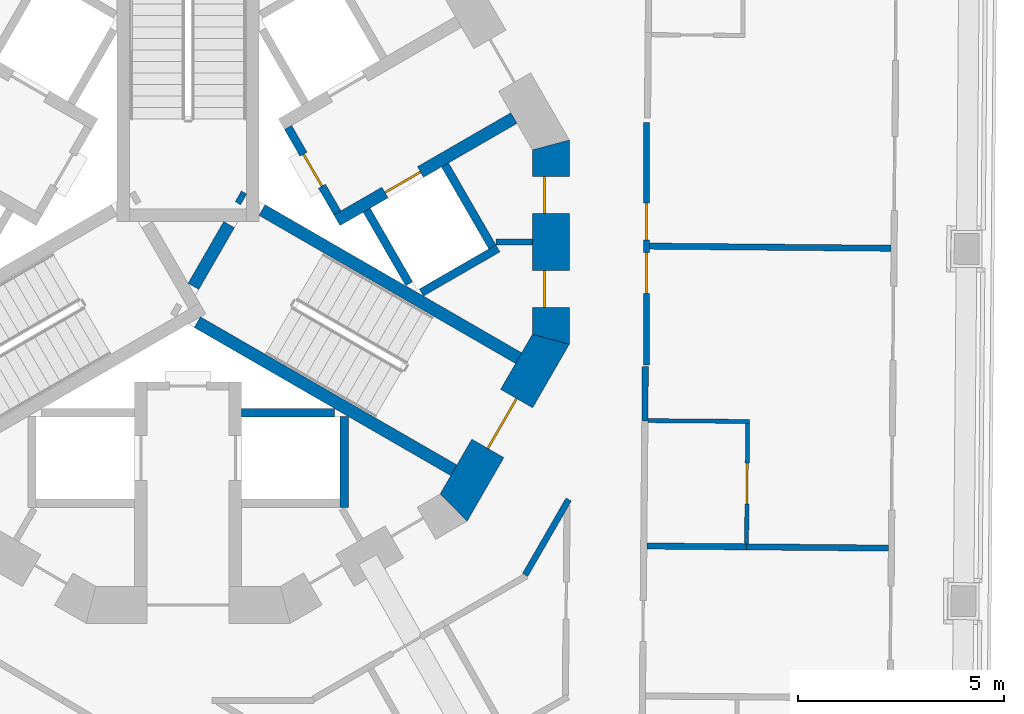
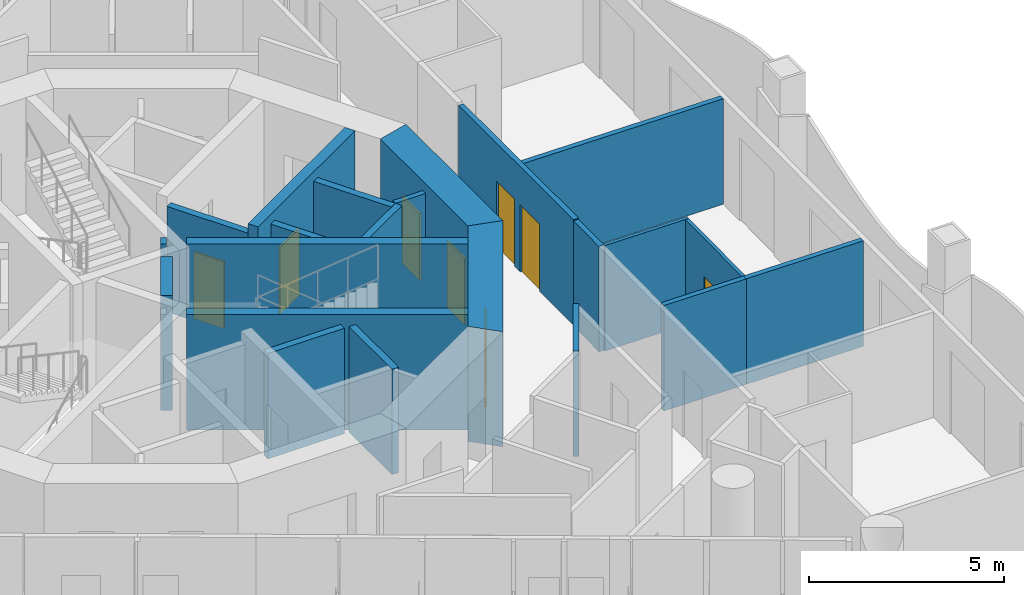
# One storey, part 6 of 18: 22 walls, 8 doors, 8 openings.
"""IFC4 building model written with IfcOpenShell, lengths in metres."""

from ifc_helpers import new_model, si_unit, direction, frame, frame_2d, origin, place, context, subcontext, project, spatial, polyline, rectangle, outline, extrude, material, layer, layer_set, type_object, element, fill, save


model = new_model("IFC4")

# Units and contexts
model_context = context("Model", 3, precision=1e-05, world=origin(), true_north=direction((0.0, 1.0)))
body_context = subcontext(model_context, "Body", "Model", "MODEL_VIEW")
ifc_project = project(units=[si_unit("LENGTHUNIT", "METRE"), si_unit("AREAUNIT", "SQUARE_METRE"), si_unit("VOLUMEUNIT", "CUBIC_METRE"), si_unit("PLANEANGLEUNIT", "RADIAN"), si_unit("MASSUNIT", "GRAM", prefix="KILO")], contexts=[model_context])

# Site, building, storey
site_placement = place(None, origin())
site = spatial("IfcSite", under=ifc_project, at=site_placement, CompositionType="ELEMENT")
building_placement = place(site_placement, origin())
building = spatial("IfcBuilding", under=site, at=building_placement, Name="Trine Commons Tower", CompositionType="ELEMENT")
storey_placement = place(building_placement, frame((0.0, 0.0, 175.5)))
storey = spatial("IfcBuildingStorey", under=building, at=storey_placement, Name="L45", CompositionType="ELEMENT", Elevation=175.5)

# Wall
ifc_material_1 = material(Name="Plasterboard partition on steel studs", Category="steel")
ifc_layer_1 = layer(ifc_material_1, 0.14990234375)
ifc_layer_set_1 = layer_set([ifc_layer_1], Name="Plasterboard partition on steel studs")
wall_type_1 = type_object("IfcWallType", Name="Core room partition 150 mm, EI 60", PredefinedType="PARTITIONING", material=ifc_layer_set_1)
wall_1_placement = place(storey_placement, frame((88.373046875, 62.5, 0.0), z_axis=(0.0, 0.0, 1.0), x_axis=(-1.0, 0.0, 0.0)))
element("IfcWall", 1, at=wall_1_placement, inside=storey, type_object=wall_type_1, Name="Core room partition L45", PredefinedType="PARTITIONING", context=body_context, shape_type="SweptSolid", body=[
    extrude(rectangle(XDim=0.882080078125, YDim=0.14990234375, at=frame_2d((0.44091796875, 0.0))), origin(), (0.0, 0.0, 1.0), 3.300048828125),
])

# Wall, opening, door
ifc_material_2 = material(Name="Fire-rated gypsum shaft wall system")
ifc_layer_2 = layer(ifc_material_2, 0.199951171875)
ifc_layer_set_2 = layer_set([ifc_layer_2], Name="Fire-rated gypsum shaft wall system")
wall_type_2 = type_object("IfcWallType", Name="Lobby end wall 200 mm, EI 120", PredefinedType="PARTITIONING", material=ifc_layer_set_2)
wall_2_placement = place(storey_placement, frame((83.631103515625, 63.2109375, 0.0), z_axis=(0.0, 0.0, 1.0), x_axis=(-0.50012165622, 0.865955154139, 0.0)))
wall_2 = element("IfcWall", 2, at=wall_2_placement, inside=storey, type_object=wall_type_2, Name="Lobby end wall L45", PredefinedType="PARTITIONING", context=body_context, shape_type="SweptSolid", body=[
    extrude(rectangle(XDim=2.39990234375, YDim=0.199951171875, at=frame_2d((1.199951171875, 0.0))), origin(), (0.0, 0.0, 1.0), 3.300048828125),
])
opening_1_placement = place(wall_2_placement, frame((0.749755859375, 0.0, 0.0)))
opening_1 = element("IfcOpeningElement", 3, at=opening_1_placement, cuts=wall_2, Name="Opening K12.05", PredefinedType="OPENING", context=body_context, shape_type="SweptSolid", body=[
    extrude(rectangle(XDim=0.89990234375, YDim=2.10009765625, at=frame_2d((0.449951171875, 1.050048828125))), frame((0.0, 0.10986328125, 0.0), z_axis=(0.0, -1.0, 0.0), x_axis=(1.0, 0.0, 0.0)), (0.0, 0.0, 1.0), 0.219970703125),
])
ifc_material_3 = material(Name="Steel door leaf, fire-rated", Category="steel")
door_type_1 = type_object("IfcDoorType", Name="Riser access door, single leaf 900 x 2100, FD60", OperationType="SINGLE_SWING_LEFT", PredefinedType="DOOR", material=ifc_material_3)
door_1_placement = place(opening_1_placement, frame((0.89990234375, 0.0, 0.0), z_axis=(0.0, 0.0, 1.0), x_axis=(-1.0, 0.0, 0.0)))
door_1 = element("IfcDoor", 4, at=door_1_placement, inside=storey, type_object=door_type_1, Name="Riser door, Electrical riser L45", OperationType="SINGLE_SWING_LEFT", OverallHeight=2.10009765625, OverallWidth=0.89990234375, PredefinedType="DOOR", context=body_context, shape_type="SweptSolid", body=[
    extrude(rectangle(XDim=0.89990234375, YDim=2.10009765625, at=frame_2d((0.449951171875, 1.050048828125))), frame((0.0, 0.02490234375, 0.0), z_axis=(0.0, -1.0, 0.0), x_axis=(1.0, 0.0, 0.0)), (0.0, 0.0, 1.0), 0.050048828125),
])
fill(opening_1, door_1)

ifc_material_4 = material(Name="Concrete C60/75", Category="concrete")
ifc_layer_3 = layer(ifc_material_4, 0.300048828125)
ifc_layer_set_3 = layer_set([ifc_layer_3], Name="Concrete C60/75")
wall_type_3 = type_object("IfcWallType", Name="RC shear wall 300 mm, C60/75", PredefinedType="SHEAR", material=ifc_layer_set_3)
wall_3_placement = place(storey_placement, frame((83.618896484375, 63.031005859375, 0.0), z_axis=(0.0, 0.0, 1.0), x_axis=(0.866080953719, 0.499903772346, 0.0)))
wall_3 = element("IfcWall", 5, at=wall_3_placement, inside=storey, type_object=wall_type_3, Name="Core cross wall SWB-06 L45", PredefinedType="SHEAR", context=body_context, shape_type="SweptSolid", body=[
    extrude(rectangle(XDim=4.97314453125, YDim=0.300048828125, at=frame_2d((2.486572265625, 0.0))), origin(), (0.0, 0.0, 1.0), 3.60009765625),
])
opening_2_placement = place(wall_3_placement, frame((1.350341796875, 0.0, 0.0)))
opening_2 = element("IfcOpeningElement", 6, at=opening_2_placement, cuts=wall_3, Name="Opening LD6", PredefinedType="OPENING", context=body_context, shape_type="SweptSolid", body=[
    extrude(rectangle(XDim=1.0, YDim=2.10009765625, at=frame_2d((0.5, 1.050048828125))), frame((0.0, 0.159912109375, 0.0), z_axis=(0.0, -1.0, 0.0), x_axis=(1.0, 0.0, 0.0)), (0.0, 0.0, 1.0), 0.320068359375),
])
ifc_material_5 = material(Name="Stainless steel sliding door leaves", Category="steel")
door_type_2 = type_object("IfcDoorType", Name="Lift landing door, centre-opening sliding 1000 x 2100, FD90", OperationType="DOUBLE_DOOR_SLIDING", PredefinedType="DOOR", material=ifc_material_5)
door_2_placement = place(opening_2_placement, origin())
door_2 = element("IfcDoor", 7, at=door_2_placement, inside=storey, type_object=door_type_2, Name="Lift landing door HR2 L45", OperationType="DOUBLE_DOOR_SLIDING", OverallHeight=2.10009765625, OverallWidth=1.0, PredefinedType="DOOR", context=body_context, shape_type="SweptSolid", body=[
    extrude(rectangle(XDim=1.0, YDim=2.10009765625, at=frame_2d((0.5, 1.050048828125))), frame((0.0, 0.02490234375, 0.0), z_axis=(0.0, -1.0, 0.0), x_axis=(1.0, 0.0, 0.0)), (0.0, 0.0, 1.0), 0.050048828125),
])
fill(opening_2, door_2)

# Walls
wall_4_placement = place(storey_placement, frame((80.1298828125, 61.424072265625, 0.0), z_axis=(0.0, 0.0, 1.0), x_axis=(0.500014901547, 0.866016800201, 0.0)))
element("IfcWall", 8, at=wall_4_placement, inside=storey, type_object=wall_type_3, Name="Core cross wall SWB-12 L45", PredefinedType="SHEAR", context=body_context, shape_type="SweptSolid", body=[
    extrude(rectangle(XDim=1.734375, YDim=0.300048828125, at=frame_2d((0.8671875, 0.0))), origin(), (0.0, 0.0, 1.0), 3.60009765625),
])
wall_5_placement = place(storey_placement, frame((80.22509765625, 60.552001953125, 0.0), z_axis=(0.0, 0.0, 1.0), x_axis=(0.866028135082, -0.499995269223, 0.0)))
element("IfcWall", 9, at=wall_5_placement, inside=storey, type_object=wall_type_3, Name="Core cross wall SWB-13 L45", PredefinedType="SHEAR", context=body_context, shape_type="SweptSolid", body=[
    extrude(rectangle(XDim=7.2041015625, YDim=0.300048828125, at=frame_2d((3.60205078125, 0.0))), origin(), (0.0, 0.0, 1.0), 3.60009765625),
])
wall_6_placement = place(storey_placement, frame((81.220947265625, 63.614013671875, 0.0), z_axis=(0.0, 0.0, 1.0), x_axis=(0.867737973955, -0.497021939713, 0.0)))
element("IfcWall", 10, at=wall_6_placement, inside=storey, type_object=wall_type_3, Name="Core cross wall SWB-15 L45", PredefinedType="SHEAR", context=body_context, shape_type="SweptSolid", body=[
    extrude(rectangle(XDim=0.14892578125, YDim=0.300048828125, at=frame_2d((0.074462890625, 0.0))), origin(), (0.0, 0.0, 1.0), 3.60009765625),
])
wall_7_placement = place(storey_placement, frame((81.800048828125, 63.280029296875, 0.0), z_axis=(0.0, 0.0, 1.0), x_axis=(0.866028135082, -0.499995269223, 0.0)))
element("IfcWall", 11, at=wall_7_placement, inside=storey, type_object=wall_type_3, Name="Core cross wall SWB-18 L45", PredefinedType="SHEAR", context=body_context, shape_type="SweptSolid", body=[
    extrude(rectangle(XDim=7.2041015625, YDim=0.300048828125, at=frame_2d((3.60205078125, 0.0))), origin(), (0.0, 0.0, 1.0), 3.60009765625),
])

# Wall, openings, doors
ifc_layer_4 = layer(ifc_material_4, 0.89990234375)
ifc_layer_set_4 = layer_set([ifc_layer_4], Name="Concrete C60/75")
wall_type_4 = type_object("IfcWallType", Name="RC shear wall 900 mm, C60/75", PredefinedType="SHEAR", material=ifc_layer_set_4)
wall_8_placement = place(storey_placement, frame((88.822998046875, 60.015380859375, 0.0), z_axis=(0.0, 0.0, 1.0), x_axis=(0.0, 1.0, 0.0)))
wall_8 = element("IfcWall", 12, at=wall_8_placement, inside=storey, type_object=wall_type_4, Name="Core wall CWE-01 L45", PredefinedType="SHEAR", context=body_context, shape_type="SweptSolid", body=[
    extrude(outline(polyline([(0.0, -0.449951171875), (4.969482421875, -0.449951171875), (4.728271484375, 0.449951171875), (0.2412109375, 0.449951171875), (0.0, -0.449951171875)])), origin(), (0.0, 0.0, 1.0), 3.60009765625),
])
opening_3_placement = place(wall_8_placement, frame((0.893798828125, 0.0, 0.0)))
opening_3 = element("IfcOpeningElement", 13, at=opening_3_placement, cuts=wall_8, Name="Opening K12.10", PredefinedType="OPENING", context=body_context, shape_type="SweptSolid", body=[
    extrude(rectangle(XDim=0.89990234375, YDim=2.10009765625, at=frame_2d((0.449951171875, 1.050048828125))), frame((0.0, 0.4599609375, 0.0), z_axis=(0.0, -1.0, 0.0), x_axis=(1.0, 0.0, 0.0)), (0.0, 0.0, 1.0), 0.919921875),
])
opening_4_placement = place(wall_8_placement, frame((3.184814453125, 0.0, 0.0)))
opening_4 = element("IfcOpeningElement", 14, at=opening_4_placement, cuts=wall_8, Name="Opening K12.11", PredefinedType="OPENING", context=body_context, shape_type="SweptSolid", body=[
    extrude(rectangle(XDim=0.89990234375, YDim=2.10009765625, at=frame_2d((0.449951171875, 1.050048828125))), frame((0.0, 0.4599609375, 0.0), z_axis=(0.0, -1.0, 0.0), x_axis=(1.0, 0.0, 0.0)), (0.0, 0.0, 1.0), 0.919921875),
])
door_type_3 = type_object("IfcDoorType", Name="Core room door, single leaf 900 x 2100, FD30S", OperationType="SINGLE_SWING_LEFT", PredefinedType="DOOR", material=ifc_material_3)
door_3_placement = place(opening_3_placement, origin())
door_3 = element("IfcDoor", 15, at=door_3_placement, inside=storey, type_object=door_type_3, Name="Door to Linen store L45", OperationType="SINGLE_SWING_LEFT", OverallHeight=2.10009765625, OverallWidth=0.89990234375, PredefinedType="DOOR", context=body_context, shape_type="SweptSolid", body=[
    extrude(rectangle(XDim=0.89990234375, YDim=2.10009765625, at=frame_2d((0.449951171875, 1.050048828125))), frame((0.0, 0.1748046875, 0.0), z_axis=(0.0, -1.0, 0.0), x_axis=(1.0, 0.0, 0.0)), (0.0, 0.0, 1.0), 0.050048828125),
])
fill(opening_3, door_3)
door_4_placement = place(opening_4_placement, origin())
door_4 = element("IfcDoor", 16, at=door_4_placement, inside=storey, type_object=door_type_3, Name="Door to Pantry L45", OperationType="SINGLE_SWING_RIGHT", OverallHeight=2.10009765625, OverallWidth=0.89990234375, PredefinedType="DOOR", context=body_context, shape_type="SweptSolid", body=[
    extrude(rectangle(XDim=0.89990234375, YDim=2.10009765625, at=frame_2d((0.449951171875, 1.050048828125))), frame((0.0, 0.1748046875, 0.0), z_axis=(0.0, -1.0, 0.0), x_axis=(1.0, 0.0, 0.0)), (0.0, 0.0, 1.0), 0.050048828125),
])
fill(opening_4, door_4)

# Wall, opening, door
wall_9_placement = place(storey_placement, frame((86.3984375, 55.936767578125, 0.0), z_axis=(0.0, 0.0, 1.0), x_axis=(0.500038571144, 0.866003133579, 0.0)))
wall_9 = element("IfcWall", 17, at=wall_9_placement, inside=storey, type_object=wall_type_4, Name="Core wall CWE-12 L45", PredefinedType="SHEAR", context=body_context, shape_type="SweptSolid", body=[
    extrude(outline(polyline([(0.0, -0.449951171875), (4.96923828125, -0.449951171875), (4.72802734375, 0.449951171875), (0.2412109375, 0.449951171875), (0.0, -0.449951171875)])), origin(), (0.0, 0.0, 1.0), 3.60009765625),
])
opening_5_placement = place(wall_9_placement, frame((1.78466796875, 0.0, 0.0)))
opening_5 = element("IfcOpeningElement", 18, at=opening_5_placement, cuts=wall_9, Name="Opening K12.03", PredefinedType="OPENING", context=body_context, shape_type="SweptSolid", body=[
    extrude(rectangle(XDim=1.39990234375, YDim=2.10009765625, at=frame_2d((0.699951171875, 1.050048828125))), frame((0.0, 0.4599609375, 0.0), z_axis=(0.0, -1.0, 0.0), x_axis=(1.0, 0.0, 0.0)), (0.0, 0.0, 1.0), 0.919921875),
])
ifc_material_6 = material(Name="Steel door leaves, fire-rated", Category="steel")
door_type_4 = type_object("IfcDoorType", Name="Stair door, double leaf 1400 x 2100, FD90", OperationType="DOUBLE_DOOR_SINGLE_SWING", PredefinedType="DOOR", material=ifc_material_6)
door_5_placement = place(opening_5_placement, origin())
door_5 = element("IfcDoor", 19, at=door_5_placement, inside=storey, type_object=door_type_4, Name="Stair door to Exit stair ST3B L45", OperationType="DOUBLE_DOOR_SINGLE_SWING", OverallHeight=2.10009765625, OverallWidth=1.39990234375, PredefinedType="DOOR", context=body_context, shape_type="SweptSolid", body=[
    extrude(rectangle(XDim=1.39990234375, YDim=2.10009765625, at=frame_2d((0.699951171875, 1.050048828125))), frame((0.0, 0.02490234375, 0.0), z_axis=(0.0, -1.0, 0.0), x_axis=(1.0, 0.0, 0.0)), (0.0, 0.0, 1.0), 0.050048828125),
])
fill(opening_5, door_5)

# Walls
ifc_layer_5 = layer(ifc_material_2, 0.199951171875)
ifc_layer_set_5 = layer_set([ifc_layer_5], Name="Fire-rated gypsum shaft wall system")
wall_type_5 = type_object("IfcWallType", Name="Shaft wall 200 mm, EI 120", PredefinedType="PARTITIONING", material=ifc_layer_set_5)
wall_10_placement = place(storey_placement, frame((81.300048828125, 58.35009765625, 0.0), z_axis=(0.0, 0.0, 1.0), x_axis=(1.0, 0.0, 0.0)))
element("IfcWall", 20, at=wall_10_placement, inside=storey, type_object=wall_type_5, Name="Shaft wall L45", PredefinedType="PARTITIONING", context=body_context, shape_type="SweptSolid", body=[
    extrude(rectangle(XDim=2.264892578125, YDim=0.199951171875, at=frame_2d((1.13232421875, 0.0))), origin(), (0.0, 0.0, 1.0), 3.300048828125),
])
wall_11_placement = place(storey_placement, frame((83.800048828125, 58.257080078125, 0.0), z_axis=(0.0, 0.0, 1.0), x_axis=(0.0, -1.0, 0.0)))
element("IfcWall", 21, at=wall_11_placement, inside=storey, type_object=wall_type_5, Name="Shaft wall L45", PredefinedType="PARTITIONING", context=body_context, shape_type="SweptSolid", body=[
    extrude(rectangle(XDim=2.20703125, YDim=0.199951171875, at=frame_2d((1.103515625, 0.0))), origin(), (0.0, 0.0, 1.0), 3.300048828125),
])
wall_12_placement = place(storey_placement, frame((84.343994140625, 63.27587890625, 0.0), z_axis=(0.0, 0.0, 1.0), x_axis=(0.500271688072, -0.86586848777, 0.0)))
element("IfcWall", 22, at=wall_12_placement, inside=storey, type_object=wall_type_5, Name="Shaft wall L45", PredefinedType="PARTITIONING", context=body_context, shape_type="SweptSolid", body=[
    extrude(rectangle(XDim=2.064697265625, YDim=0.199951171875, at=frame_2d((1.0322265625, 0.0))), origin(), (0.0, 0.0, 1.0), 3.300048828125),
])
wall_13_placement = place(storey_placement, frame((85.675048828125, 61.27392578125, 0.0), z_axis=(0.0, 0.0, 1.0), x_axis=(0.866102336459, 0.499866725018, 0.0)))
element("IfcWall", 23, at=wall_13_placement, inside=storey, type_object=wall_type_5, Name="Shaft wall L45", PredefinedType="PARTITIONING", context=body_context, shape_type="SweptSolid", body=[
    extrude(rectangle(XDim=2.1484375, YDim=0.199951171875, at=frame_2d((1.07421875, 0.0))), origin(), (0.0, 0.0, 1.0), 3.300048828125),
])
wall_14_placement = place(storey_placement, frame((86.2490234375, 64.3759765625, 0.0), z_axis=(0.0, 0.0, 1.0), x_axis=(0.500136062276, -0.86594683394, 0.0)))
element("IfcWall", 24, at=wall_14_placement, inside=storey, type_object=wall_type_5, Name="Shaft wall L45", PredefinedType="PARTITIONING", context=body_context, shape_type="SweptSolid", body=[
    extrude(rectangle(XDim=2.299072265625, YDim=0.199951171875, at=frame_2d((1.1494140625, 0.0))), origin(), (0.0, 0.0, 1.0), 3.300048828125),
])
ifc_material_7 = material(Name="Gypsum plasterboard on steel stud", Category="steel")
ifc_layer_6 = layer(ifc_material_7, 0.14990234375)
ifc_layer_set_6 = layer_set([ifc_layer_6], Name="Gypsum plasterboard on steel stud")
wall_type_6 = type_object("IfcWallType", Name="Unit and corridor wall 150 mm, EI 60", PredefinedType="PARTITIONING", material=ifc_layer_set_6)
wall_15_placement = place(storey_placement, frame((88.198486328125, 54.404052734375, 0.0), z_axis=(0.0, 0.0, 1.0), x_axis=(0.499882057835, 0.866093487018, 0.0)))
element("IfcWall", 25, at=wall_15_placement, inside=storey, type_object=wall_type_6, Name="Partition 109", PredefinedType="PARTITIONING", context=body_context, shape_type="SweptSolid", body=[
    extrude(rectangle(XDim=2.11865234375, YDim=0.14990234375, at=frame_2d((1.059326171875, 0.0))), origin(), (0.0, 0.0, 1.0), 3.300048828125),
])
wall_16_placement = place(storey_placement, frame((91.158935546875, 55.107421875, 0.0), z_axis=(0.0, 0.0, 1.0), x_axis=(0.999964244372, -0.008456357246, 0.0)))
element("IfcWall", 26, at=wall_16_placement, inside=storey, type_object=wall_type_6, Name="Partition 126", PredefinedType="PARTITIONING", context=body_context, shape_type="SweptSolid", body=[
    extrude(rectangle(XDim=2.425048828125, YDim=0.14990234375, at=frame_2d((1.21240234375, 0.0))), origin(), (0.0, 0.0, 1.0), 3.300048828125),
])
wall_17_placement = place(storey_placement, frame((91.111083984375, 58.154052734375, 0.0), z_axis=(0.0, 0.0, 1.0), x_axis=(0.008354702831, 0.999965098861, 0.0)))
element("IfcWall", 27, at=wall_17_placement, inside=storey, type_object=wall_type_6, Name="Partition 127", PredefinedType="PARTITIONING", context=body_context, shape_type="SweptSolid", body=[
    extrude(rectangle(XDim=1.31494140625, YDim=0.14990234375, at=frame_2d((0.657470703125, 0.0))), origin(), (0.0, 0.0, 1.0), 3.300048828125),
])

# Wall, openings, doors
wall_18_placement = place(storey_placement, frame((91.14794921875, 59.512939453125, 0.0), z_axis=(0.0, 0.0, 1.0), x_axis=(0.0, 1.0, 0.0)))
wall_18 = element("IfcWall", 28, at=wall_18_placement, inside=storey, type_object=wall_type_6, Name="Partition 129", PredefinedType="PARTITIONING", context=body_context, shape_type="SweptSolid", body=[
    extrude(rectangle(XDim=5.899169921875, YDim=0.14990234375, at=frame_2d((2.94970703125, 0.0))), origin(), (0.0, 0.0, 1.0), 3.300048828125),
])
opening_6_placement = place(wall_18_placement, frame((3.0400390625, 0.0, 0.0)))
opening_6 = element("IfcOpeningElement", 29, at=opening_6_placement, cuts=wall_18, Name="Opening D-5B18", PredefinedType="OPENING", context=body_context, shape_type="SweptSolid", body=[
    extrude(rectangle(XDim=0.89990234375, YDim=2.10009765625, at=frame_2d((0.449951171875, 1.050048828125))), frame((0.0, 0.0849609375, 0.0), z_axis=(0.0, -1.0, 0.0), x_axis=(1.0, 0.0, 0.0)), (0.0, 0.0, 1.0), 0.169921875),
])
opening_7_placement = place(wall_18_placement, frame((1.739990234375, 0.0, 0.0)))
opening_7 = element("IfcOpeningElement", 30, at=opening_7_placement, cuts=wall_18, Name="Opening D-5B19", PredefinedType="OPENING", context=body_context, shape_type="SweptSolid", body=[
    extrude(rectangle(XDim=1.0, YDim=2.10009765625, at=frame_2d((0.5, 1.050048828125))), frame((0.0, 0.0849609375, 0.0), z_axis=(0.0, -1.0, 0.0), x_axis=(1.0, 0.0, 0.0)), (0.0, 0.0, 1.0), 0.169921875),
])
ifc_material_8 = material(Name="Timber fire door set", Category="wood")
door_type_5 = type_object("IfcDoorType", Name="Bedroom door 1000 x 2100, FD30S", OperationType="NOTDEFINED", PredefinedType="DOOR", material=ifc_material_8)
door_6_placement = place(opening_7_placement, frame((1.0, 0.0, 0.0), z_axis=(0.0, 0.0, 1.0), x_axis=(-1.0, 0.0, 0.0)))
door_6 = element("IfcDoor", 31, at=door_6_placement, inside=storey, type_object=door_type_5, Name="Door D-5B19", OperationType="SINGLE_SWING_RIGHT", OverallHeight=2.10009765625, OverallWidth=1.0, PredefinedType="DOOR", context=body_context, shape_type="SweptSolid", body=[
    extrude(rectangle(XDim=1.0, YDim=2.10009765625, at=frame_2d((0.5, 1.050048828125))), frame((0.0, 0.02490234375, 0.0), z_axis=(0.0, -1.0, 0.0), x_axis=(1.0, 0.0, 0.0)), (0.0, 0.0, 1.0), 0.050048828125),
])
fill(opening_7, door_6)
door_type_6 = type_object("IfcDoorType", Name="Bedroom door 900 x 2100, FD30S", OperationType="NOTDEFINED", PredefinedType="DOOR", material=ifc_material_8)
door_7_placement = place(opening_6_placement, frame((0.89990234375, 0.0, 0.0), z_axis=(0.0, 0.0, 1.0), x_axis=(-1.0, 0.0, 0.0)))
door_7 = element("IfcDoor", 32, at=door_7_placement, inside=storey, type_object=door_type_6, Name="Door D-5B18", OperationType="SINGLE_SWING_LEFT", OverallHeight=2.10009765625, OverallWidth=0.89990234375, PredefinedType="DOOR", context=body_context, shape_type="SweptSolid", body=[
    extrude(rectangle(XDim=0.89990234375, YDim=2.10009765625, at=frame_2d((0.449951171875, 1.050048828125))), frame((0.0, 0.02490234375, 0.0), z_axis=(0.0, -1.0, 0.0), x_axis=(1.0, 0.0, 0.0)), (0.0, 0.0, 1.0), 0.050048828125),
])
fill(opening_6, door_7)

# Walls
wall_19_placement = place(storey_placement, frame((91.222900390625, 62.40234375, 0.0), z_axis=(0.0, 0.0, 1.0), x_axis=(0.999960815669, -0.008852520937, 0.0)))
element("IfcWall", 33, at=wall_19_placement, inside=storey, type_object=wall_type_6, Name="Partition 130", PredefinedType="PARTITIONING", context=body_context, shape_type="SweptSolid", body=[
    extrude(rectangle(XDim=5.874267578125, YDim=0.14990234375, at=frame_2d((2.93701171875, 0.0))), origin(), (0.0, 0.0, 1.0), 3.300048828125),
])
wall_20_placement = place(storey_placement, frame((93.583984375, 55.0869140625, 0.0), z_axis=(0.0, 0.0, 1.0), x_axis=(0.999960856051, -0.008847958307, 0.0)))
element("IfcWall", 34, at=wall_20_placement, inside=storey, type_object=wall_type_6, Name="Partition 150", PredefinedType="PARTITIONING", context=body_context, shape_type="SweptSolid", body=[
    extrude(rectangle(XDim=3.44921875, YDim=0.14990234375, at=frame_2d((1.724609375, 0.0))), origin(), (0.0, 0.0, 1.0), 3.300048828125),
])
ifc_layer_7 = layer(ifc_material_7, 0.10009765625)
ifc_layer_set_7 = layer_set([ifc_layer_7], Name="Gypsum plasterboard on steel stud")
wall_type_7 = type_object("IfcWallType", Name="Unit partition 100 mm, no rating", PredefinedType="PARTITIONING", material=ifc_layer_set_7)
wall_21_placement = place(storey_placement, frame((91.18603515625, 58.157470703125, 0.0), z_axis=(0.0, 0.0, 1.0), x_axis=(0.999964846703, -0.008384829039, 0.0)))
element("IfcWall", 35, at=wall_21_placement, inside=storey, type_object=wall_type_7, Name="Partition 128", PredefinedType="PARTITIONING", context=body_context, shape_type="SweptSolid", body=[
    extrude(rectangle(XDim=2.474853515625, YDim=0.10009765625, at=frame_2d((1.2373046875, 0.0))), origin(), (0.0, 0.0, 1.0), 3.300048828125),
])

# Wall, opening, door
wall_22_placement = place(storey_placement, frame((93.584716796875, 55.162109375, 0.0), z_axis=(0.0, 0.0, 1.0), x_axis=(0.008847733802, 0.999960858037, 0.0)))
wall_22 = element("IfcWall", 36, at=wall_22_placement, inside=storey, type_object=wall_type_7, Name="Partition 149", PredefinedType="PARTITIONING", context=body_context, shape_type="SweptSolid", body=[
    extrude(rectangle(XDim=2.9248046875, YDim=0.10009765625, at=frame_2d((1.46240234375, 0.0))), origin(), (0.0, 0.0, 1.0), 3.300048828125),
])
opening_8_placement = place(wall_22_placement, frame((0.962646484375, 0.0, 0.0)))
opening_8 = element("IfcOpeningElement", 37, at=opening_8_placement, cuts=wall_22, Name="Opening D-5B51", PredefinedType="OPENING", context=body_context, shape_type="SweptSolid", body=[
    extrude(rectangle(XDim=1.0, YDim=2.10009765625, at=frame_2d((0.5, 1.050048828125))), frame((0.0, 0.06005859375, 0.0), z_axis=(0.0, -1.0, 0.0), x_axis=(1.0, 0.0, 0.0)), (0.0, 0.0, 1.0), 0.1201171875),
])
ifc_material_9 = material(Name="Painted timber", Category="wood")
door_type_7 = type_object("IfcDoorType", Name="Internal door 1000 x 2100, NOT RATED", OperationType="NOTDEFINED", PredefinedType="DOOR", material=ifc_material_9)
door_8_placement = place(opening_8_placement, frame((1.0, 0.0, 0.0), z_axis=(0.0, 0.0, 1.0), x_axis=(-1.0, 0.0, 0.0)))
door_8 = element("IfcDoor", 38, at=door_8_placement, inside=storey, type_object=door_type_7, Name="Door D-5B51", OperationType="SINGLE_SWING_LEFT", OverallHeight=2.10009765625, OverallWidth=1.0, PredefinedType="DOOR", context=body_context, shape_type="SweptSolid", body=[
    extrude(rectangle(XDim=1.0, YDim=2.10009765625, at=frame_2d((0.5, 1.050048828125))), frame((0.0, 0.02490234375, 0.0), z_axis=(0.0, -1.0, 0.0), x_axis=(1.0, 0.0, 0.0)), (0.0, 0.0, 1.0), 0.050048828125),
])
fill(opening_8, door_8)

save(model, "model.ifc")
